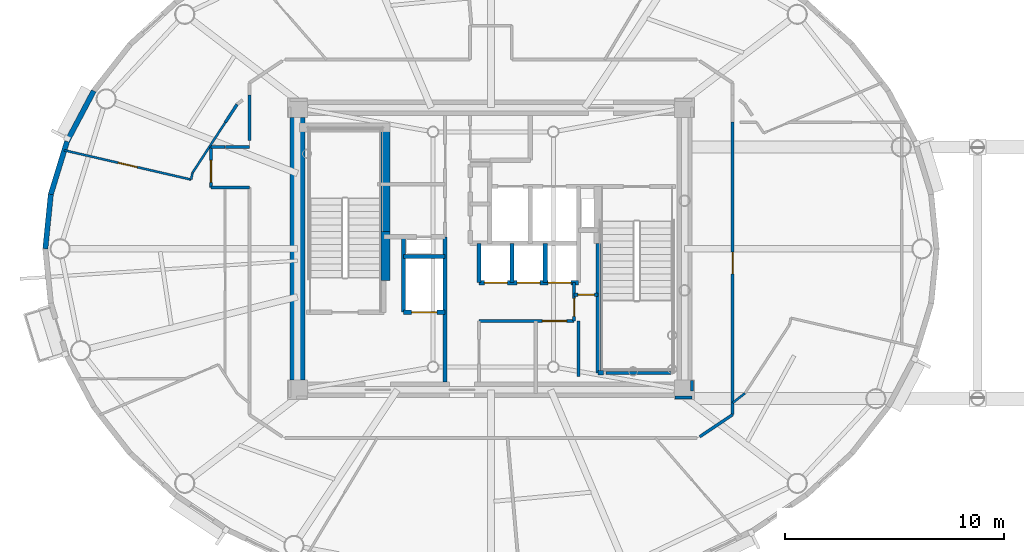
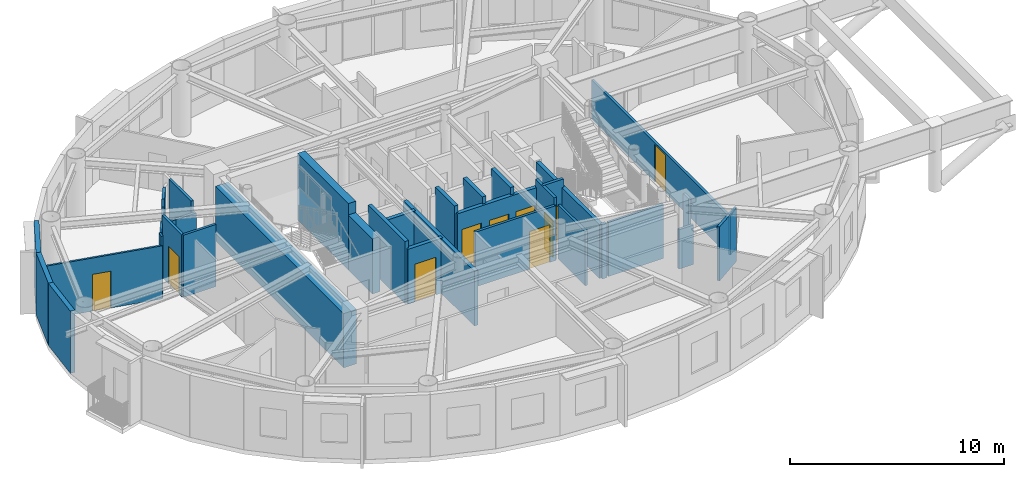
# One storey, part 9 of 19: 35 walls, 10 doors, 10 openings.
"""IFC4 building model written with IfcOpenShell, lengths in metres."""

from ifc_helpers import new_model, si_unit, direction, frame, frame_2d, origin, origin_2d, place, context, subcontext, project, spatial, rectangle, extrude, source, transform, mapped, material, layer, layer_set, type_object, element, fill, save


model = new_model("IFC4")

# Units and contexts
model_context = context("Model", 3, precision=1e-05, world=origin(), true_north=direction((0.0, 1.0)))
body_context = subcontext(model_context, "Body", "Model", "MODEL_VIEW")
ifc_project = project(units=[si_unit("LENGTHUNIT", "METRE"), si_unit("AREAUNIT", "SQUARE_METRE"), si_unit("VOLUMEUNIT", "CUBIC_METRE"), si_unit("PLANEANGLEUNIT", "RADIAN"), si_unit("MASSUNIT", "GRAM", prefix="KILO")], contexts=[model_context])

# Site, building, storey
site_placement = place(None, origin())
site = spatial("IfcSite", under=ifc_project, at=site_placement, CompositionType="ELEMENT")
building_placement = place(site_placement, origin())
building = spatial("IfcBuilding", under=site, at=building_placement, Name="Linh Dai School and Residence Tower", CompositionType="ELEMENT")
storey_placement = place(building_placement, frame((0.0, 0.0, 339.199951171875)))
storey = spatial("IfcBuildingStorey", under=building, at=storey_placement, Name="L84", CompositionType="ELEMENT", Elevation=339.199951171875)

# Walls
ifc_material_1 = material(Name="Precast Concrete B45 (C35/45)", Category="concrete")
ifc_layer_1 = layer(ifc_material_1, 0.239990234375)
ifc_layer_set_1 = layer_set([ifc_layer_1], Name="Precast Concrete B45 (C35/45)")
wall_type_1 = type_object("IfcWallType", Name="EW-TC-240", PredefinedType="SOLIDWALL", material=ifc_layer_set_1)
wall_1_placement = place(storey_placement, frame((16.618896484375, 31.913330078125, 0.0), z_axis=(0.0, 0.0, 1.0), x_axis=(0.467487999989, 0.883999417345, 0.0)))
element("IfcWall", 1, at=wall_1_placement, inside=storey, type_object=wall_type_1, Name="L84 Terracotta Exterior Wall 18", PredefinedType="SOLIDWALL", context=body_context, shape_type="SweptSolid", body=[
    extrude(rectangle(XDim=2.610107421875, YDim=0.239990234375, at=frame_2d((1.30517578125, 0.0))), origin(), (0.0, 0.0, 1.0), 3.550048828125),
])
wall_2_placement = place(storey_placement, frame((15.875, 29.48681640625, 0.0), z_axis=(0.0, 0.0, 1.0), x_axis=(0.293105547213, 0.956080089842, 0.0)))
element("IfcWall", 2, at=wall_2_placement, inside=storey, type_object=wall_type_1, Name="L84 Terracotta Exterior Wall 19", PredefinedType="SOLIDWALL", context=body_context, shape_type="SweptSolid", body=[
    extrude(rectangle(XDim=2.5380859375, YDim=0.239990234375, at=frame_2d((1.26904296875, 0.0))), origin(), (0.0, 0.0, 1.0), 3.550048828125),
])
wall_3_placement = place(storey_placement, frame((15.625, 27.0, 0.0), z_axis=(0.0, 0.0, 1.0), x_axis=(0.100025963401, 0.994984827344, 0.0)))
element("IfcWall", 3, at=wall_3_placement, inside=storey, type_object=wall_type_1, Name="L84 Terracotta Exterior Wall 20", PredefinedType="SOLIDWALL", context=body_context, shape_type="SweptSolid", body=[
    extrude(rectangle(XDim=2.499267578125, YDim=0.239990234375, at=frame_2d((1.24951171875, 0.0))), origin(), (0.0, 0.0, 1.0), 3.550048828125),
])

# Wall, opening, door
ifc_material_2 = material(Name="Autoclaved Aerated Concrete Blockwork", Category="masonry")
ifc_layer_2 = layer(ifc_material_2, 0.135009765625)
ifc_layer_set_2 = layer_set([ifc_layer_2], Name="Autoclaved Aerated Concrete Blockwork")
wall_type_2 = type_object("IfcWallType", Name="IW-CORR-135-EI90", PredefinedType="PARTITIONING", material=ifc_layer_set_2)
wall_4_placement = place(storey_placement, frame((23.199951171875, 29.800048828125, 0.0), z_axis=(0.0, 0.0, 1.0), x_axis=(0.0, 1.0, 0.0)))
wall_4 = element("IfcWall", 4, at=wall_4_placement, inside=storey, type_object=wall_type_2, Name="L84 Interior Partition Wall 006", PredefinedType="PARTITIONING", context=body_context, shape_type="SweptSolid", body=[
    extrude(rectangle(XDim=1.849853515625, YDim=0.135009765625, at=frame_2d((0.9248046875, 0.0))), origin(), (0.0, 0.0, 1.0), 3.550048828125),
])
opening_1_placement = place(wall_4_placement, frame((0.241943359375, 0.0, 0.0)))
opening_1 = element("IfcOpeningElement", 5, at=opening_1_placement, cuts=wall_4, Name="Opening D03", PredefinedType="OPENING", context=body_context, shape_type="SweptSolid", body=[
    extrude(rectangle(XDim=1.0, YDim=2.14990234375, at=origin_2d()), frame((0.5, 0.07763671875, 1.074951171875), z_axis=(0.0, -1.0, 0.0), x_axis=(1.0, 0.0, 0.0)), (0.0, 0.0, 1.0), 0.155029296875),
])
ifc_material_3 = material(Name="Fire-Rated Solid Timber Entrance Door", Category="wood")
door_type_1 = type_object("IfcDoorType", Name="DR-FLAT-1000x2150-FD60S", OperationType="NOTDEFINED", PredefinedType="DOOR", material=ifc_material_3)
shared_shape_1 = source(origin(), body_context, "Body", "SweptSolid", [
    extrude(rectangle(XDim=1.0, YDim=2.14990234375, at=origin_2d()), frame((0.5, 0.02490234375, 1.074951171875), z_axis=(0.0, -1.0, 0.0), x_axis=(1.0, 0.0, 0.0)), (0.0, 0.0, 1.0), 0.050048828125),
])
door_1_placement = place(opening_1_placement, origin())
door_1 = element("IfcDoor", 6, at=door_1_placement, inside=storey, type_object=door_type_1, Name="L84 U8401 Apartment Entrance Door", OperationType="SINGLE_SWING_RIGHT", OverallHeight=2.14990234375, OverallWidth=1.0, PredefinedType="DOOR", context=body_context, shape_type="MappedRepresentation", body=[
    mapped(shared_shape_1, transform((0.0, 0.0, 0.0), x_axis=(1.0, 0.0, 0.0), y_axis=(0.0, 1.0, 0.0), z_axis=(0.0, 0.0, 1.0), scale=1.0)),
])
fill(opening_1, door_1)

# Walls
wall_5_placement = place(storey_placement, frame((23.199951171875, 29.800048828125, 0.0), z_axis=(0.0, 0.0, 1.0), x_axis=(1.0, 0.0, 0.0)))
element("IfcWall", 7, at=wall_5_placement, inside=storey, type_object=wall_type_2, Name="L84 Interior Partition Wall 007", PredefinedType="PARTITIONING", context=body_context, shape_type="SweptSolid", body=[
    extrude(rectangle(XDim=1.75, YDim=0.135009765625, at=frame_2d((0.875, 0.0))), origin(), (0.0, 0.0, 1.0), 3.550048828125),
])
wall_6_placement = place(storey_placement, frame((23.199951171875, 31.64990234375, 0.0), z_axis=(0.0, 0.0, 1.0), x_axis=(1.0, 0.0, 0.0)))
element("IfcWall", 8, at=wall_6_placement, inside=storey, type_object=wall_type_2, Name="L84 Interior Partition Wall 008", PredefinedType="PARTITIONING", context=body_context, shape_type="SweptSolid", body=[
    extrude(rectangle(XDim=0.64599609375, YDim=0.135009765625, at=frame_2d((0.322998046875, 0.0))), origin(), (0.0, 0.0, 1.0), 3.0849609375),
])

# Wall, opening, door
wall_7_placement = place(storey_placement, frame((35.449951171875, 23.699951171875, 0.0), z_axis=(0.0, 0.0, 1.0), x_axis=(1.0, 0.0, 0.0)))
wall_7 = element("IfcWall", 9, at=wall_7_placement, inside=storey, type_object=wall_type_2, Name="L84 Interior Partition Wall 039", PredefinedType="PARTITIONING", context=body_context, shape_type="SweptSolid", body=[
    extrude(rectangle(XDim=4.35009765625, YDim=0.135009765625, at=frame_2d((2.175048828125, 0.0))), origin(), (0.0, 0.0, 1.0), 3.135009765625),
])
opening_2_placement = place(wall_7_placement, frame((2.905029296875, 0.0, 0.0)))
opening_2 = element("IfcOpeningElement", 10, at=opening_2_placement, cuts=wall_7, Name="Opening D07", PredefinedType="OPENING", context=body_context, shape_type="SweptSolid", body=[
    extrude(rectangle(XDim=1.10009765625, YDim=2.14990234375, at=origin_2d()), frame((0.550048828125, 0.07763671875, 1.074951171875), z_axis=(0.0, -1.0, 0.0), x_axis=(1.0, 0.0, 0.0)), (0.0, 0.0, 1.0), 0.155029296875),
])
ifc_material_4 = material(Name="Fire-Rated Louvred Steel Plant Door", Category="steel")
door_type_2 = type_object("IfcDoorType", Name="DR-PLT-1100x2150-FD60S", OperationType="NOTDEFINED", PredefinedType="DOOR", material=ifc_material_4)
shared_shape_2 = source(origin(), body_context, "Body", "SweptSolid", [
    extrude(rectangle(XDim=1.10009765625, YDim=2.14990234375, at=origin_2d()), frame((0.550048828125, 0.02490234375, 1.074951171875), z_axis=(0.0, -1.0, 0.0), x_axis=(1.0, 0.0, 0.0)), (0.0, 0.0, 1.0), 0.050048828125),
])
door_2_placement = place(opening_2_placement, origin())
door_2 = element("IfcDoor", 11, at=door_2_placement, inside=storey, type_object=door_type_2, Name="L84 Telecom Node Room Door", OperationType="SINGLE_SWING_LEFT", OverallHeight=2.14990234375, OverallWidth=1.10009765625, PredefinedType="DOOR", context=body_context, shape_type="MappedRepresentation", body=[
    mapped(shared_shape_2, transform((0.0, 0.0, 0.0), x_axis=(1.0, 0.0, 0.0), y_axis=(0.0, 1.0, 0.0), z_axis=(0.0, 0.0, 1.0), scale=1.0)),
])
fill(opening_2, door_2)

wall_8_placement = place(storey_placement, frame((39.800048828125, 23.699951171875, 0.0), z_axis=(0.0, 0.0, 1.0), x_axis=(0.0, 1.0, 0.0)))
wall_8 = element("IfcWall", 12, at=wall_8_placement, inside=storey, type_object=wall_type_2, Name="L84 Interior Partition Wall 053", PredefinedType="PARTITIONING", context=body_context, shape_type="SweptSolid", body=[
    extrude(rectangle(XDim=1.75, YDim=0.135009765625, at=frame_2d((0.875, 0.0))), origin(), (0.0, 0.0, 1.0), 3.550048828125),
])
opening_3_placement = place(wall_8_placement, frame((0.2099609375, 0.0, 0.0)))
opening_3 = element("IfcOpeningElement", 13, at=opening_3_placement, cuts=wall_8, Name="Opening D06", PredefinedType="OPENING", context=body_context, shape_type="SweptSolid", body=[
    extrude(rectangle(XDim=0.820068359375, YDim=2.10009765625, at=origin_2d()), frame((0.41015625, 0.07763671875, 1.050048828125), z_axis=(0.0, -1.0, 0.0), x_axis=(1.0, 0.0, 0.0)), (0.0, 0.0, 1.0), 0.155029296875),
])
ifc_material_5 = material(Name="Moisture-Resistant Timber Bathroom Door", Category="wood")
door_type_3 = type_object("IfcDoorType", Name="DR-WET-820x2100", OperationType="NOTDEFINED", PredefinedType="DOOR", material=ifc_material_5)
shared_shape_3 = source(origin(), body_context, "Body", "SweptSolid", [
    extrude(rectangle(XDim=0.820068359375, YDim=2.10009765625, at=origin_2d()), frame((0.41015625, 0.02490234375, 1.050048828125), z_axis=(0.0, -1.0, 0.0), x_axis=(1.0, 0.0, 0.0)), (0.0, 0.0, 1.0), 0.050048828125),
])
door_3_placement = place(opening_3_placement, origin())
door_3 = element("IfcDoor", 14, at=door_3_placement, inside=storey, type_object=door_type_3, Name="L84 SE Electrical Closet Door", OperationType="SINGLE_SWING_LEFT", OverallHeight=2.10009765625, OverallWidth=0.820068359375, PredefinedType="DOOR", context=body_context, shape_type="MappedRepresentation", body=[
    mapped(shared_shape_3, transform((0.0, 0.0, 0.0), x_axis=(1.0, 0.0, 0.0), y_axis=(0.0, 1.0, 0.0), z_axis=(0.0, 0.0, 1.0), scale=1.0)),
])
fill(opening_3, door_3)

# Wall
wall_9_placement = place(storey_placement, frame((45.541259765625, 18.408203125, 0.0), z_axis=(0.0, 0.0, 1.0), x_axis=(0.831180227396, 0.556003084151, 0.0)))
element("IfcWall", 15, at=wall_9_placement, inside=storey, type_object=wall_type_2, Name="L84 Interior Partition Wall 061", PredefinedType="PARTITIONING", context=body_context, shape_type="SweptSolid", body=[
    extrude(rectangle(XDim=1.815185546875, YDim=0.135009765625, at=frame_2d((0.90771484375, 0.0))), origin(), (0.0, 0.0, 1.0), 3.0849609375),
])

# Wall, opening, door
wall_10_placement = place(storey_placement, frame((47.050048828125, 19.41748046875, 0.0), z_axis=(0.0, 0.0, 1.0), x_axis=(0.0, 1.0, 0.0)))
wall_10 = element("IfcWall", 16, at=wall_10_placement, inside=storey, type_object=wall_type_2, Name="L84 Interior Partition Wall 063", PredefinedType="PARTITIONING", context=body_context, shape_type="SweptSolid", body=[
    extrude(rectangle(XDim=13.36962890625, YDim=0.135009765625, at=frame_2d((6.684814453125, 0.0))), origin(), (0.0, 0.0, 1.0), 2.25),
])
opening_4_placement = place(wall_10_placement, frame((6.43408203125, 0.0, 0.0)))
opening_4 = element("IfcOpeningElement", 17, at=opening_4_placement, cuts=wall_10, Name="Opening D03", PredefinedType="OPENING", context=body_context, shape_type="SweptSolid", body=[
    extrude(rectangle(XDim=1.0, YDim=2.14990234375, at=origin_2d()), frame((0.5, 0.07763671875, 1.074951171875), z_axis=(0.0, -1.0, 0.0), x_axis=(1.0, 0.0, 0.0)), (0.0, 0.0, 1.0), 0.155029296875),
])
door_4_placement = place(opening_4_placement, origin())
door_4 = element("IfcDoor", 18, at=door_4_placement, inside=storey, type_object=door_type_1, Name="L84 U8402 Apartment Entrance Door", OperationType="SINGLE_SWING_LEFT", OverallHeight=2.14990234375, OverallWidth=1.0, PredefinedType="DOOR", context=body_context, shape_type="MappedRepresentation", body=[
    mapped(shared_shape_1, transform((0.0, 0.0, 0.0), x_axis=(1.0, 0.0, 0.0), y_axis=(0.0, 1.0, 0.0), z_axis=(0.0, 0.0, 1.0), scale=1.0)),
])
fill(opening_4, door_4)

# Walls
wall_11_placement = place(storey_placement, frame((44.239990234375, 21.330078125, 0.0), z_axis=(0.0, 0.0, 1.0), x_axis=(-1.0, 0.0, 0.0)))
element("IfcWall", 19, at=wall_11_placement, inside=storey, type_object=wall_type_2, Name="L84 Interior Partition Wall 073", PredefinedType="PARTITIONING", context=body_context, shape_type="SweptSolid", body=[
    extrude(rectangle(XDim=2.97998046875, YDim=0.135009765625, at=frame_2d((1.489990234375, 0.0))), origin(), (0.0, 0.0, 1.0), 3.0849609375),
])
wall_12_placement = place(storey_placement, frame((40.0, 23.699951171875, 0.0), z_axis=(0.0, 0.0, 1.0), x_axis=(0.0, -1.0, 0.0)))
element("IfcWall", 20, at=wall_12_placement, inside=storey, type_object=wall_type_2, Name="L84 Interior Partition Wall 074", PredefinedType="PARTITIONING", context=body_context, shape_type="SweptSolid", body=[
    extrude(rectangle(XDim=2.5400390625, YDim=0.135009765625, at=frame_2d((1.27001953125, 0.0))), origin(), (0.0, 0.0, 1.0), 3.0849609375),
])
wall_13_placement = place(storey_placement, frame((23.85595703125, 31.64990234375, 0.0), z_axis=(0.0, 0.0, 1.0), x_axis=(1.0, 0.0, 0.0)))
element("IfcWall", 21, at=wall_13_placement, inside=storey, type_object=wall_type_2, Name="L84 Interior Partition Wall 075", PredefinedType="PARTITIONING", context=body_context, shape_type="SweptSolid", body=[
    extrude(rectangle(XDim=1.093994140625, YDim=0.135009765625, at=frame_2d((0.546875, 0.0))), origin(), (0.0, 0.0, 1.0), 3.0849609375),
])
wall_14_placement = place(storey_placement, frame((24.949951171875, 31.95751953125, 0.0), z_axis=(0.0, 0.0, 1.0), x_axis=(0.0, 1.0, 0.0)))
element("IfcWall", 22, at=wall_14_placement, inside=storey, type_object=wall_type_2, Name="L84 Interior Partition Wall 076", PredefinedType="PARTITIONING", context=body_context, shape_type="SweptSolid", body=[
    extrude(rectangle(XDim=2.076416015625, YDim=0.135009765625, at=frame_2d((1.0380859375, 0.0))), origin(), (0.0, 0.0, 1.0), 3.550048828125),
])
wall_15_placement = place(storey_placement, frame((44.409912109375, 20.199951171875, 0.0), z_axis=(0.0, 0.0, 1.0), x_axis=(1.0, 0.0, 0.0)))
element("IfcWall", 23, at=wall_15_placement, inside=storey, type_object=wall_type_2, Name="L84 Interior Partition Wall 083", PredefinedType="PARTITIONING", context=body_context, shape_type="SweptSolid", body=[
    extrude(rectangle(XDim=0.7900390625, YDim=0.135009765625, at=frame_2d((0.39501953125, 0.0))), origin(), (0.0, 0.0, 1.0), 2.25),
])
wall_16_placement = place(storey_placement, frame((45.199951171875, 20.507568359375, 0.0), z_axis=(0.0, 0.0, 1.0), x_axis=(0.0, 1.0, 0.0)))
element("IfcWall", 24, at=wall_16_placement, inside=storey, type_object=wall_type_2, Name="L84 Interior Partition Wall 084", PredefinedType="PARTITIONING", context=body_context, shape_type="SweptSolid", body=[
    extrude(rectangle(XDim=0.482421875, YDim=0.135009765625, at=frame_2d((0.2412109375, 0.0))), origin(), (0.0, 0.0, 1.0), 3.550048828125),
])
wall_17_placement = place(storey_placement, frame((24.390625, 33.605712890625, 0.0), z_axis=(0.0, 0.0, 1.0), x_axis=(-0.545318185568, -0.838229131258, 0.0)))
element("IfcWall", 25, at=wall_17_placement, inside=storey, type_object=wall_type_2, Name="L84 Interior Partition Wall 087", PredefinedType="PARTITIONING", context=body_context, shape_type="SweptSolid", body=[
    extrude(rectangle(XDim=0.988525390625, YDim=0.135009765625, at=frame_2d((0.494140625, 0.0))), origin(), (0.0, 0.0, 1.0), 3.550048828125),
])

# Wall, opening, door
ifc_layer_3 = layer(ifc_material_2, 0.14990234375)
ifc_layer_set_3 = layer_set([ifc_layer_3], Name="Autoclaved Aerated Concrete Blockwork")
wall_type_3 = type_object("IfcWallType", Name="IW-SCH-150-EI60", PredefinedType="PARTITIONING", material=ifc_layer_set_3)
wall_18_placement = place(storey_placement, frame((39.800048828125, 24.89990234375, 0.0), z_axis=(0.0, 0.0, 1.0), x_axis=(1.0, 0.0, 0.0)))
wall_18 = element("IfcWall", 26, at=wall_18_placement, inside=storey, type_object=wall_type_3, Name="L84 Interior Partition Wall 054", PredefinedType="PARTITIONING", context=body_context, shape_type="SweptSolid", body=[
    extrude(rectangle(XDim=1.099853515625, YDim=0.14990234375, at=frame_2d((0.5498046875, 0.0))), origin(), (0.0, 0.0, 1.0), 3.550048828125),
])
opening_5_placement = place(wall_18_placement, frame((0.169921875, 0.0, 0.0)))
opening_5 = element("IfcOpeningElement", 27, at=opening_5_placement, cuts=wall_18, Name="Opening D08", PredefinedType="OPENING", context=body_context, shape_type="SweptSolid", body=[
    extrude(rectangle(XDim=0.760009765625, YDim=2.10009765625, at=origin_2d()), frame((0.3798828125, 0.0849609375, 1.050048828125), z_axis=(0.0, -1.0, 0.0), x_axis=(1.0, 0.0, 0.0)), (0.0, 0.0, 1.0), 0.169921875),
])
ifc_material_6 = material(Name="Engineered Timber Closet and Study Door", Category="wood")
door_type_4 = type_object("IfcDoorType", Name="DR-CMP-760x2100", OperationType="NOTDEFINED", PredefinedType="DOOR", material=ifc_material_6)
shared_shape_4 = source(origin(), body_context, "Body", "SweptSolid", [
    extrude(rectangle(XDim=0.760009765625, YDim=2.10009765625, at=origin_2d()), frame((0.3798828125, 0.02490234375, 1.050048828125), z_axis=(0.0, -1.0, 0.0), x_axis=(1.0, 0.0, 0.0)), (0.0, 0.0, 1.0), 0.050048828125),
])
door_5_placement = place(opening_5_placement, origin())
door_5 = element("IfcDoor", 28, at=door_5_placement, inside=storey, type_object=door_type_4, Name="L84 NE Equipment Store Door", OperationType="SINGLE_SWING_RIGHT", OverallHeight=2.10009765625, OverallWidth=0.760009765625, PredefinedType="DOOR", context=body_context, shape_type="MappedRepresentation", body=[
    mapped(shared_shape_4, transform((0.0, 0.0, 0.0), x_axis=(1.0, 0.0, 0.0), y_axis=(0.0, 1.0, 0.0), z_axis=(0.0, 0.0, 1.0), scale=1.0)),
])
fill(opening_5, door_5)

# Wall
ifc_material_7 = material(Name="Concrete B45 (C35/45)", Category="concrete")
ifc_layer_4 = layer(ifc_material_7, 0.199951171875)
ifc_layer_set_4 = layer_set([ifc_layer_4], Name="Concrete B45 (C35/45)")
wall_type_4 = type_object("IfcWallType", Name="IW-SHAFT-200-EI120", PredefinedType="PARTITIONING", material=ifc_layer_set_4)
wall_19_placement = place(storey_placement, frame((32.0, 24.10009765625, 0.0), z_axis=(0.0, 0.0, 1.0), x_axis=(0.0, 1.0, 0.0)))
element("IfcWall", 29, at=wall_19_placement, inside=storey, type_object=wall_type_4, Name="L84 Interior Partition Wall 024", PredefinedType="PARTITIONING", context=body_context, shape_type="SweptSolid", body=[
    extrude(rectangle(XDim=3.449951171875, YDim=0.199951171875, at=frame_2d((1.72509765625, 0.0))), origin(), (0.0, 0.0, 1.0), 3.550048828125),
])

# Wall, opening, door
wall_20_placement = place(storey_placement, frame((32.0, 24.10009765625, 0.0), z_axis=(0.0, 0.0, 1.0), x_axis=(1.0, 0.0, 0.0)))
wall_20 = element("IfcWall", 30, at=wall_20_placement, inside=storey, type_object=wall_type_4, Name="L84 Interior Partition Wall 025", PredefinedType="PARTITIONING", context=body_context, shape_type="SweptSolid", body=[
    extrude(rectangle(XDim=1.89990234375, YDim=0.199951171875, at=frame_2d((0.949951171875, 0.0))), origin(), (0.0, 0.0, 1.0), 3.135009765625),
])
opening_6_placement = place(wall_20_placement, frame((0.375, 0.0, 0.0)))
opening_6 = element("IfcOpeningElement", 31, at=opening_6_placement, cuts=wall_20, Name="Opening LD-FF2", PredefinedType="OPENING", context=body_context, shape_type="SweptSolid", body=[
    extrude(rectangle(XDim=1.14990234375, YDim=2.14990234375, at=origin_2d()), frame((0.574951171875, 0.10986328125, 1.074951171875), z_axis=(0.0, -1.0, 0.0), x_axis=(1.0, 0.0, 0.0)), (0.0, 0.0, 1.0), 0.219970703125),
])
ifc_material_8 = material(Name="Fire-Rated Stainless Steel Firefighting Lift Door", Category="steel")
door_type_5 = type_object("IfcDoorType", Name="DR-LD-FF-1150x2150-FD120", OperationType="DOUBLE_DOOR_SLIDING", PredefinedType="USERDEFINED", material=ifc_material_8)
shared_shape_5 = source(origin(), body_context, "Body", "SweptSolid", [
    extrude(rectangle(XDim=1.14990234375, YDim=2.14990234375, at=origin_2d()), frame((0.574951171875, 0.02490234375, 1.074951171875), z_axis=(0.0, -1.0, 0.0), x_axis=(1.0, 0.0, 0.0)), (0.0, 0.0, 1.0), 0.050048828125),
])
door_6_placement = place(opening_6_placement, origin())
door_6 = element("IfcDoor", 32, at=door_6_placement, inside=storey, type_object=door_type_5, Name="L84 Lift FF2 Sliding Landing Door", ObjectType="LANDING DOOR", OperationType="DOUBLE_DOOR_SLIDING", OverallHeight=2.14990234375, OverallWidth=1.14990234375, PredefinedType="USERDEFINED", context=body_context, shape_type="MappedRepresentation", body=[
    mapped(shared_shape_5, transform((0.0, 0.0, 0.0), x_axis=(1.0, 0.0, 0.0), y_axis=(0.0, 1.0, 0.0), z_axis=(0.0, 0.0, 1.0), scale=1.0)),
])
fill(opening_6, door_6)

# Walls
wall_21_placement = place(storey_placement, frame((32.0, 26.64990234375, 0.0), z_axis=(0.0, 0.0, 1.0), x_axis=(1.0, 0.0, 0.0)))
element("IfcWall", 33, at=wall_21_placement, inside=storey, type_object=wall_type_4, Name="L84 Interior Partition Wall 026", PredefinedType="PARTITIONING", context=body_context, shape_type="SweptSolid", body=[
    extrude(rectangle(XDim=1.89990234375, YDim=0.199951171875, at=frame_2d((0.949951171875, 0.0))), origin(), (0.0, 0.0, 1.0), 3.135009765625),
])
wall_22_placement = place(storey_placement, frame((33.89990234375, 20.89990234375, 0.0), z_axis=(0.0, 0.0, 1.0), x_axis=(0.0, 1.0, 0.0)))
element("IfcWall", 34, at=wall_22_placement, inside=storey, type_object=wall_type_4, Name="L84 Interior Partition Wall 027", PredefinedType="PARTITIONING", context=body_context, shape_type="SweptSolid", body=[
    extrude(rectangle(XDim=6.650146484375, YDim=0.199951171875, at=frame_2d((3.3251953125, 0.0))), origin(), (0.0, 0.0, 1.0), 3.135009765625),
])
wall_23_placement = place(storey_placement, frame((35.449951171875, 25.449951171875, 0.0), z_axis=(0.0, 0.0, 1.0), x_axis=(0.0, 1.0, 0.0)))
element("IfcWall", 35, at=wall_23_placement, inside=storey, type_object=wall_type_4, Name="L84 Interior Partition Wall 040", PredefinedType="PARTITIONING", context=body_context, shape_type="SweptSolid", body=[
    extrude(rectangle(XDim=1.800048828125, YDim=0.199951171875, at=frame_2d((0.89990234375, 0.0))), origin(), (0.0, 0.0, 1.0), 3.550048828125),
])

# Wall, openings, doors
wall_24_placement = place(storey_placement, frame((35.449951171875, 25.449951171875, 0.0), z_axis=(0.0, 0.0, 1.0), x_axis=(1.0, 0.0, 0.0)))
wall_24 = element("IfcWall", 36, at=wall_24_placement, inside=storey, type_object=wall_type_4, Name="L84 Interior Partition Wall 041", PredefinedType="PARTITIONING", context=body_context, shape_type="SweptSolid", body=[
    extrude(rectangle(XDim=4.550048828125, YDim=0.199951171875, at=frame_2d((2.27490234375, 0.0))), origin(), (0.0, 0.0, 1.0), 3.135009765625),
])
opening_7_placement = place(wall_24_placement, frame((0.25, 0.0, 0.0)))
opening_7 = element("IfcOpeningElement", 37, at=opening_7_placement, cuts=wall_24, Name="Opening LD-PL7", PredefinedType="OPENING", context=body_context, shape_type="SweptSolid", body=[
    extrude(rectangle(XDim=1.050048828125, YDim=2.14990234375, at=origin_2d()), frame((0.52490234375, 0.10986328125, 1.074951171875), z_axis=(0.0, -1.0, 0.0), x_axis=(1.0, 0.0, 0.0)), (0.0, 0.0, 1.0), 0.219970703125),
])
opening_8_placement = place(wall_24_placement, frame((1.7451171875, 0.0, 0.0)))
opening_8 = element("IfcOpeningElement", 38, at=opening_8_placement, cuts=wall_24, Name="Opening LD-PL8", PredefinedType="OPENING", context=body_context, shape_type="SweptSolid", body=[
    extrude(rectangle(XDim=1.050048828125, YDim=2.14990234375, at=origin_2d()), frame((0.52490234375, 0.10986328125, 1.074951171875), z_axis=(0.0, -1.0, 0.0), x_axis=(1.0, 0.0, 0.0)), (0.0, 0.0, 1.0), 0.219970703125),
])
opening_9_placement = place(wall_24_placement, frame((3.1650390625, 0.0, 0.0)))
opening_9 = element("IfcOpeningElement", 39, at=opening_9_placement, cuts=wall_24, Name="Opening LD-PL9", PredefinedType="OPENING", context=body_context, shape_type="SweptSolid", body=[
    extrude(rectangle(XDim=1.050048828125, YDim=2.14990234375, at=origin_2d()), frame((0.52490234375, 0.10986328125, 1.074951171875), z_axis=(0.0, -1.0, 0.0), x_axis=(1.0, 0.0, 0.0)), (0.0, 0.0, 1.0), 0.219970703125),
])
ifc_material_9 = material(Name="Brushed Stainless Steel Lift Landing Door", Category="steel")
door_type_6 = type_object("IfcDoorType", Name="DR-LD-PASS-1050x2150", OperationType="DOUBLE_DOOR_SLIDING", PredefinedType="USERDEFINED", material=ifc_material_9)
shared_shape_6 = source(origin(), body_context, "Body", "SweptSolid", [
    extrude(rectangle(XDim=1.050048828125, YDim=2.14990234375, at=origin_2d()), frame((0.52490234375, 0.02490234375, 1.074951171875), z_axis=(0.0, -1.0, 0.0), x_axis=(1.0, 0.0, 0.0)), (0.0, 0.0, 1.0), 0.050048828125),
])
door_7_placement = place(opening_7_placement, origin())
door_7 = element("IfcDoor", 40, at=door_7_placement, inside=storey, type_object=door_type_6, Name="L84 Lift PL7 Sliding Landing Door", ObjectType="LANDING DOOR", OperationType="DOUBLE_DOOR_SLIDING", OverallHeight=2.14990234375, OverallWidth=1.050048828125, PredefinedType="USERDEFINED", context=body_context, shape_type="MappedRepresentation", body=[
    mapped(shared_shape_6, transform((0.0, 0.0, 0.0), x_axis=(1.0, 0.0, 0.0), y_axis=(0.0, 1.0, 0.0), z_axis=(0.0, 0.0, 1.0), scale=1.0)),
])
fill(opening_7, door_7)
door_8_placement = place(opening_8_placement, origin())
door_8 = element("IfcDoor", 41, at=door_8_placement, inside=storey, type_object=door_type_6, Name="L84 Lift PL8 Sliding Landing Door", ObjectType="LANDING DOOR", OperationType="DOUBLE_DOOR_SLIDING", OverallHeight=2.14990234375, OverallWidth=1.050048828125, PredefinedType="USERDEFINED", context=body_context, shape_type="MappedRepresentation", body=[
    mapped(shared_shape_6, transform((0.0, 0.0, 0.0), x_axis=(1.0, 0.0, 0.0), y_axis=(0.0, 1.0, 0.0), z_axis=(0.0, 0.0, 1.0), scale=1.0)),
])
fill(opening_8, door_8)
door_9_placement = place(opening_9_placement, origin())
door_9 = element("IfcDoor", 42, at=door_9_placement, inside=storey, type_object=door_type_6, Name="L84 Lift PL9 Sliding Landing Door", ObjectType="LANDING DOOR", OperationType="DOUBLE_DOOR_SLIDING", OverallHeight=2.14990234375, OverallWidth=1.050048828125, PredefinedType="USERDEFINED", context=body_context, shape_type="MappedRepresentation", body=[
    mapped(shared_shape_6, transform((0.0, 0.0, 0.0), x_axis=(1.0, 0.0, 0.0), y_axis=(0.0, 1.0, 0.0), z_axis=(0.0, 0.0, 1.0), scale=1.0)),
])
fill(opening_9, door_9)

# Walls
for number, where, z_axis, x_axis, name in (
    (43, (36.9599609375, 25.449951171875, 0.0), (0.0, 0.0, 1.0), (0.0, 1.0, 0.0), "L84 Interior Partition Wall 048"),
    (44, (38.47998046875, 25.449951171875, 0.0), (0.0, 0.0, 1.0), (0.0, 1.0, 0.0), "L84 Interior Partition Wall 052"),
):
    element("IfcWall", number, at=place(storey_placement, frame(where, z_axis=z_axis, x_axis=x_axis)), inside=storey, type_object=wall_type_4, Name=name, PredefinedType="PARTITIONING", context=body_context, shape_type="SweptSolid", body=[
        extrude(rectangle(XDim=1.800048828125, YDim=0.199951171875, at=frame_2d((0.89990234375, 0.0))), origin(), (0.0, 0.0, 1.0), 3.550048828125),
    ])
wall_25_placement = place(storey_placement, frame((40.89990234375, 21.330078125, 0.0), z_axis=(0.0, 0.0, 1.0), x_axis=(0.0, 1.0, 0.0)))
element("IfcWall", 45, at=wall_25_placement, inside=storey, type_object=wall_type_4, Name="L84 Interior Partition Wall 057", PredefinedType="PARTITIONING", context=body_context, shape_type="SweptSolid", body=[
    extrude(rectangle(XDim=5.909912109375, YDim=0.199951171875, at=frame_2d((2.955078125, 0.0))), origin(), (0.0, 0.0, 1.0), 3.0849609375),
])
wall_26_placement = place(storey_placement, frame((40.89990234375, 21.330078125, 0.0), z_axis=(0.0, 0.0, 1.0), x_axis=(1.0, 0.0, 0.0)))
element("IfcWall", 46, at=wall_26_placement, inside=storey, type_object=wall_type_4, Name="L84 Interior Partition Wall 058", PredefinedType="PARTITIONING", context=body_context, shape_type="SweptSolid", body=[
    extrude(rectangle(XDim=0.25, YDim=0.199951171875, at=frame_2d((0.125, 0.0))), origin(), (0.0, 0.0, 1.0), 3.0849609375),
])

# Wall, opening, door
ifc_material_10 = material(Name="Gypsum Plasterboard Acoustic Stud Partition", Category="masonry")
ifc_layer_5 = layer(ifc_material_10, 0.10009765625)
ifc_layer_set_5 = layer_set([ifc_layer_5], Name="Gypsum Plasterboard Acoustic Stud Partition")
wall_type_5 = type_object("IfcWallType", Name="IW-UNIT-100", PredefinedType="PARTITIONING", material=ifc_layer_set_5)
wall_27_placement = place(storey_placement, frame((16.48828125, 31.504638671875, 0.0), z_axis=(0.0, 0.0, 1.0), x_axis=(0.974373225384, -0.224937363847, 0.0)))
wall_27 = element("IfcWall", 47, at=wall_27_placement, inside=storey, type_object=wall_type_5, Name="L84 Interior Partition Wall 001", PredefinedType="PARTITIONING", context=body_context, shape_type="SweptSolid", body=[
    extrude(rectangle(XDim=5.954345703125, YDim=0.10009765625, at=frame_2d((2.97705078125, 0.0))), origin(), (0.0, 0.0, 1.0), 3.03515625),
])
opening_10_placement = place(wall_27_placement, frame((2.527099609375, 0.0, 0.0)))
opening_10 = element("IfcOpeningElement", 48, at=opening_10_placement, cuts=wall_27, Name="Opening D05", PredefinedType="OPENING", context=body_context, shape_type="SweptSolid", body=[
    extrude(rectangle(XDim=0.89990234375, YDim=2.10009765625, at=origin_2d()), frame((0.449951171875, 0.06005859375, 1.050048828125), z_axis=(0.0, -1.0, 0.0), x_axis=(1.0, 0.0, 0.0)), (0.0, 0.0, 1.0), 0.1201171875),
])
ifc_material_11 = material(Name="Engineered Timber Internal Door", Category="wood")
door_type_7 = type_object("IfcDoorType", Name="DR-INT-900x2100", OperationType="NOTDEFINED", PredefinedType="DOOR", material=ifc_material_11)
shared_shape_7 = source(origin(), body_context, "Body", "SweptSolid", [
    extrude(rectangle(XDim=0.89990234375, YDim=2.10009765625, at=origin_2d()), frame((0.449951171875, 0.02490234375, 1.050048828125), z_axis=(0.0, -1.0, 0.0), x_axis=(1.0, 0.0, 0.0)), (0.0, 0.0, 1.0), 0.050048828125),
])
door_10_placement = place(opening_10_placement, origin())
door_10 = element("IfcDoor", 49, at=door_10_placement, inside=storey, type_object=door_type_7, Name="L84 Apartment U8401 Principal Bedroom 2 Door", OperationType="SINGLE_SWING_LEFT", OverallHeight=2.10009765625, OverallWidth=0.89990234375, PredefinedType="DOOR", context=body_context, shape_type="MappedRepresentation", body=[
    mapped(shared_shape_7, transform((0.0, 0.0, 0.0), x_axis=(1.0, 0.0, 0.0), y_axis=(0.0, 1.0, 0.0), z_axis=(0.0, 0.0, 1.0), scale=1.0)),
])
fill(opening_10, door_10)

# Walls
wall_28_placement = place(storey_placement, frame((22.2900390625, 30.165283203125, 0.0), z_axis=(0.0, 0.0, 1.0), x_axis=(0.198359507495, 0.980129331153, 0.0)))
element("IfcWall", 50, at=wall_28_placement, inside=storey, type_object=wall_type_5, Name="L84 Interior Partition Wall 004", PredefinedType="PARTITIONING", context=body_context, shape_type="SweptSolid", body=[
    extrude(rectangle(XDim=0.31396484375, YDim=0.10009765625, at=frame_2d((0.156982421875, 0.0))), origin(), (0.0, 0.0, 1.0), 3.550048828125),
])
wall_29_placement = place(storey_placement, frame((22.352294921875, 30.472900390625, 0.0), z_axis=(0.0, 0.0, 1.0), x_axis=(0.545326673802, 0.838223609093, 0.0)))
element("IfcWall", 51, at=wall_29_placement, inside=storey, type_object=wall_type_5, Name="L84 Interior Partition Wall 005", PredefinedType="PARTITIONING", context=body_context, shape_type="SweptSolid", body=[
    extrude(rectangle(XDim=2.739013671875, YDim=0.10009765625, at=frame_2d((1.36962890625, 0.0))), origin(), (0.0, 0.0, 1.0), 3.0849609375),
])
wall_30_placement = place(storey_placement, frame((47.050048828125, 19.9560546875, 0.0), z_axis=(0.0, 0.0, 1.0), x_axis=(0.787164110493, 0.616743595956, 0.0)))
element("IfcWall", 52, at=wall_30_placement, inside=storey, type_object=wall_type_5, Name="L84 Interior Partition Wall 064", PredefinedType="PARTITIONING", context=body_context, shape_type="SweptSolid", body=[
    extrude(rectangle(XDim=0.71044921875, YDim=0.10009765625, at=frame_2d((0.355224609375, 0.0))), origin(), (0.0, 0.0, 1.0), 2.25),
])
ifc_layer_6 = layer(ifc_material_7, 0.39990234375)
ifc_layer_set_6 = layer_set([ifc_layer_6], Name="Concrete B45 (C35/45)")
wall_type_6 = type_object("IfcWallType", Name="WL-CORE400", PredefinedType="SHEAR", material=ifc_layer_set_6)
wall_31_placement = place(storey_placement, frame((31.179931640625, 27.800048828125, 0.0), z_axis=(0.0, 0.0, 1.0), x_axis=(0.0, 1.0, 0.0)))
element("IfcWall", 53, at=wall_31_placement, inside=storey, type_object=wall_type_6, Name="L84 Core Stair ST1 Bearing Wall E", PredefinedType="SHEAR", context=body_context, shape_type="SweptSolid", body=[
    extrude(rectangle(XDim=4.75, YDim=0.39990234375, at=frame_2d((2.375, 0.0))), origin(), (0.0, 0.0, 1.0), 3.800048828125),
])
wall_32_placement = place(storey_placement, frame((31.179931640625, 25.550048828125, 0.0), z_axis=(0.0, 0.0, 1.0), x_axis=(0.0, 1.0, 0.0)))
element("IfcWall", 54, at=wall_32_placement, inside=storey, type_object=wall_type_6, Name="L84 Internal Core Shear Wall IW", PredefinedType="SHEAR", context=body_context, shape_type="SweptSolid", body=[
    extrude(rectangle(XDim=2.25, YDim=0.39990234375, at=frame_2d((1.125, 0.0))), origin(), (0.0, 0.0, 1.0), 3.150146484375),
])
ifc_layer_7 = layer(ifc_material_7, 0.699951171875)
ifc_layer_set_7 = layer_set([ifc_layer_7], Name="Concrete B45 (C35/45)")
wall_type_7 = type_object("IfcWallType", Name="WL-CORE700", PredefinedType="SHEAR", material=ifc_layer_set_7)
wall_33_placement = place(storey_placement, frame((27.14990234375, 21.0, 0.0), z_axis=(0.0, 0.0, 1.0), x_axis=(0.0, 1.0, 0.0)))
element("IfcWall", 55, at=wall_33_placement, inside=storey, type_object=wall_type_7, Name="L84 Central Core Shear Wall W", PredefinedType="SHEAR", context=body_context, shape_type="SweptSolid", body=[
    extrude(rectangle(XDim=12.0, YDim=0.699951171875, at=frame_2d((6.0, 0.0))), origin(), (0.0, 0.0, 1.0), 3.10009765625),
])

save(model, "model.ifc")
